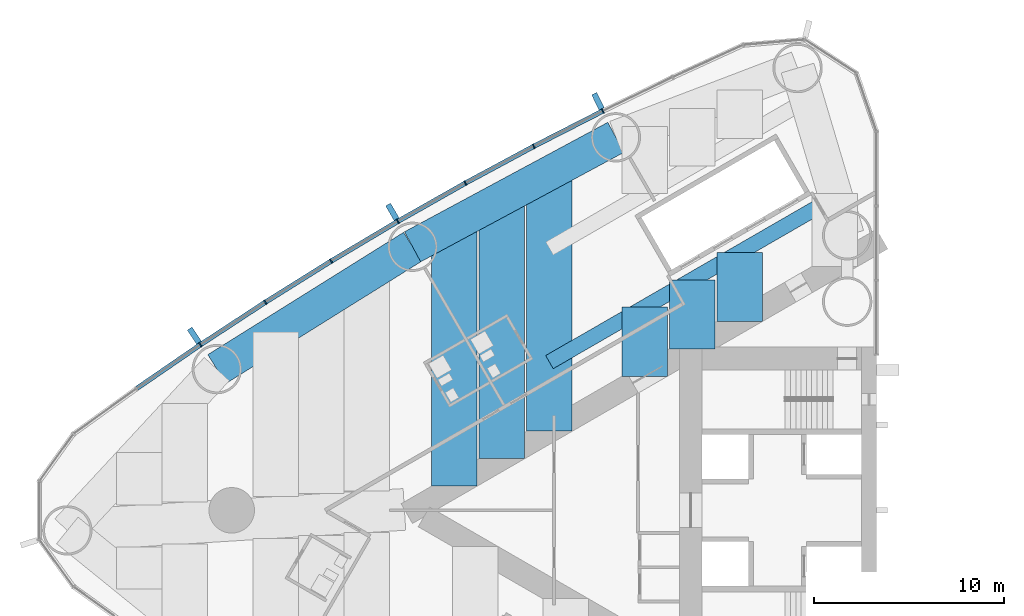
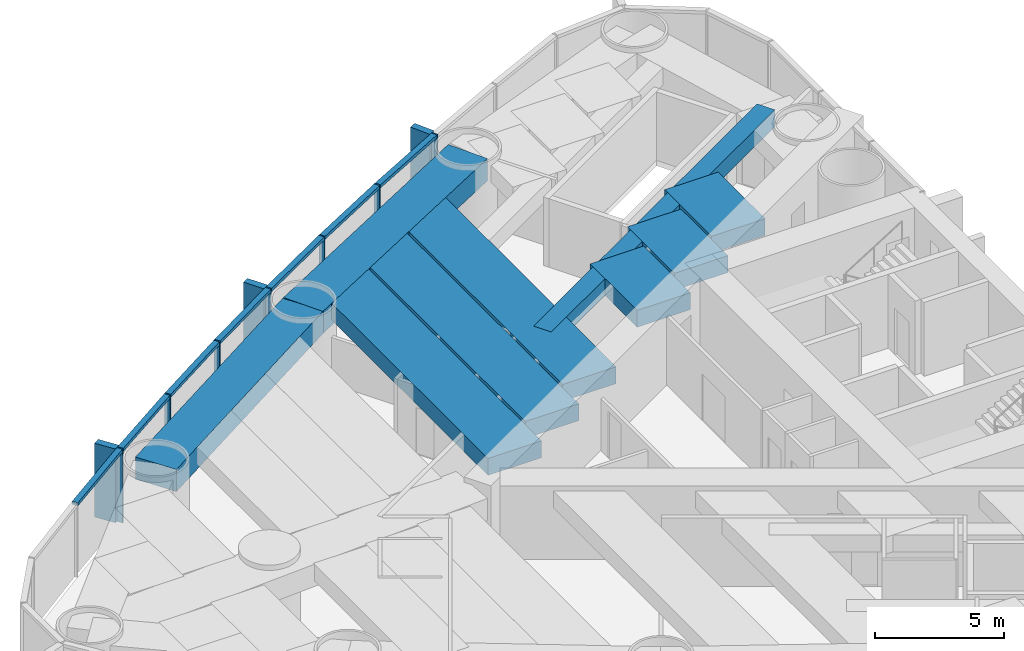
# One storey, part 4 of 18: 17 members, 9 beams, 1 element without a shape of its own.
"""IFC4 building model written with IfcOpenShell, lengths in metres."""

from ifc_helpers import new_model, si_unit, direction, frame, origin, origin_2d, place, context, subcontext, project, spatial, rectangle, hollow_rectangle, extrude, material, material_profile, profile_set, type_object, element, aggregate, save


model = new_model("IFC4")

# Units and contexts
model_context = context("Model", 3, precision=1e-05, world=origin(), true_north=direction((0.0, 1.0)))
body_context = subcontext(model_context, "Body", "Model", "MODEL_VIEW")
ifc_project = project(units=[si_unit("LENGTHUNIT", "METRE"), si_unit("AREAUNIT", "SQUARE_METRE"), si_unit("VOLUMEUNIT", "CUBIC_METRE"), si_unit("PLANEANGLEUNIT", "RADIAN"), si_unit("MASSUNIT", "GRAM", prefix="KILO")], contexts=[model_context])

# Site, building, storey
site_placement = place(None, origin())
site = spatial("IfcSite", under=ifc_project, at=site_placement, CompositionType="ELEMENT")
building_placement = place(site_placement, origin())
building = spatial("IfcBuilding", under=site, at=building_placement, Name="Lancet Gate Hotel", CompositionType="ELEMENT")
storey_placement = place(building_placement, frame((0.0, 0.0, 115.10009765625)))
storey = spatial("IfcBuildingStorey", under=building, at=storey_placement, Name="L30", CompositionType="ELEMENT", Elevation=115.10009765625)

# Curtain wall, members
ifc_material_1 = material(Name="Aluminium curtain wall", Category="aluminium")
curtain_wall_type = type_object("IfcCurtainWallType", Name="Tower unitised curtain wall", PredefinedType="USERDEFINED", material=ifc_material_1)
curtain_wall_placement = place(storey_placement, origin())
curtain_wall = element("IfcCurtainWall", 1, at=curtain_wall_placement, inside=storey, type_object=curtain_wall_type, Name="T1 L30 curtain wall 1", ObjectType="UNITISED CURTAIN WALL", PredefinedType="USERDEFINED")
ifc_material_2 = material(Name="Aluminium mullion", Category="aluminium")
ifc_material_profile_1 = material_profile(ifc_material_2, rectangle(XDim=0.06494140625, YDim=0.25, at=origin_2d()), Name="MULLION 65x250")
ifc_profile_set_1 = profile_set([ifc_material_profile_1], Name="Aluminium mullion")
member_type_1 = type_object("IfcMemberType", Name="Aluminium mullion 65x250", PredefinedType="MULLION", material=ifc_profile_set_1)
member_1_placement = place(storey_placement, frame((-41.935302734375, 21.053466796875, 0.0), z_axis=(0.0, 0.0, 1.0), x_axis=(-0.895339445458, -0.445384415317, 0.0)))
member_1 = element("IfcMember", 2, at=member_1_placement, type_object=member_type_1, Name="T1 L30 curtain wall 1 mullion 9", PredefinedType="MULLION", context=body_context, shape_type="SweptSolid", body=[
    extrude(rectangle(XDim=0.06494140625, YDim=0.25, at=origin_2d()), origin(), (0.0, 0.0, 1.0), 3.5),
])
member_2_placement = place(storey_placement, frame((-45.578857421875, 19.19189453125, 0.0), z_axis=(0.0, 0.0, 1.0), x_axis=(-0.885544335517, -0.46455487279, 0.0)))
member_2 = element("IfcMember", 3, at=member_2_placement, type_object=member_type_1, Name="T1 L30 curtain wall 1 mullion 10", PredefinedType="MULLION", context=body_context, shape_type="SweptSolid", body=[
    extrude(rectangle(XDim=0.06494140625, YDim=0.25, at=origin_2d()), origin(), (0.0, 0.0, 1.0), 3.5),
])
member_3_placement = place(storey_placement, frame((-49.181640625, 17.252197265625, 0.0), z_axis=(0.0, 0.0, 1.0), x_axis=(-0.875338819507, -0.48351003202, 0.0)))
member_3 = element("IfcMember", 4, at=member_3_placement, type_object=member_type_1, Name="T1 L30 curtain wall 1 mullion 11", PredefinedType="MULLION", context=body_context, shape_type="SweptSolid", body=[
    extrude(rectangle(XDim=0.06494140625, YDim=0.25, at=origin_2d()), origin(), (0.0, 0.0, 1.0), 3.5),
])
member_4_placement = place(storey_placement, frame((-52.74169921875, 15.2353515625, 0.0), z_axis=(0.0, 0.0, 1.0), x_axis=(-0.86472762718, -0.502241108226, 0.0)))
member_4 = element("IfcMember", 5, at=member_4_placement, type_object=member_type_1, Name="T1 L30 curtain wall 1 mullion 12", PredefinedType="MULLION", context=body_context, shape_type="SweptSolid", body=[
    extrude(rectangle(XDim=0.06494140625, YDim=0.25, at=origin_2d()), origin(), (0.0, 0.0, 1.0), 3.5),
])
member_5_placement = place(storey_placement, frame((-56.257568359375, 13.142333984375, 0.0), z_axis=(0.0, 0.0, 1.0), x_axis=(-0.853715676299, -0.52073942048, 0.0)))
member_5 = element("IfcMember", 6, at=member_5_placement, type_object=member_type_1, Name="T1 L30 curtain wall 1 mullion 13", PredefinedType="MULLION", context=body_context, shape_type="SweptSolid", body=[
    extrude(rectangle(XDim=0.06494140625, YDim=0.25, at=origin_2d()), origin(), (0.0, 0.0, 1.0), 3.5),
])
member_6_placement = place(storey_placement, frame((-59.7275390625, 10.974365234375, 0.0), z_axis=(0.0, 0.0, 1.0), x_axis=(-0.84230807036, -0.538996395727, 0.0)))
member_6 = element("IfcMember", 7, at=member_6_placement, type_object=member_type_1, Name="T1 L30 curtain wall 1 mullion 14", PredefinedType="MULLION", context=body_context, shape_type="SweptSolid", body=[
    extrude(rectangle(XDim=0.06494140625, YDim=0.25, at=origin_2d()), origin(), (0.0, 0.0, 1.0), 3.5),
])
member_7_placement = place(storey_placement, frame((-63.14990234375, 8.73193359375, 0.0), z_axis=(0.0, 0.0, 1.0), x_axis=(-0.830510096234, -0.557003572747, 0.0)))
member_7 = element("IfcMember", 8, at=member_7_placement, type_object=member_type_1, Name="T1 L30 curtain wall 1 mullion 15", PredefinedType="MULLION", context=body_context, shape_type="SweptSolid", body=[
    extrude(rectangle(XDim=0.06494140625, YDim=0.25, at=origin_2d()), origin(), (0.0, 0.0, 1.0), 3.5),
])
ifc_material_3 = material(Name="Aluminium transom", Category="aluminium")
ifc_material_profile_2 = material_profile(ifc_material_3, rectangle(XDim=0.25, YDim=0.14990234375, at=origin_2d()), Name="TRANSOM 250x150")
ifc_profile_set_2 = profile_set([ifc_material_profile_2], Name="Aluminium transom")
member_type_2 = type_object("IfcMemberType", Name="Aluminium transom 250x150", PredefinedType="USERDEFINED", material=ifc_profile_set_2)
member_8_placement = place(storey_placement, frame((-41.96435546875, 21.038818359375, 3.4248046875), z_axis=(-0.89047617483, -0.455029869415, 0.0), x_axis=(0.455029869415, -0.89047617483, 0.0)))
member_8 = element("IfcMember", 9, at=member_8_placement, type_object=member_type_2, Name="T1 L30 curtain wall 1 transom 9", ObjectType="TRANSOM", PredefinedType="USERDEFINED", context=body_context, shape_type="SweptSolid", body=[
    extrude(rectangle(XDim=0.25, YDim=0.14990234375, at=origin_2d()), origin(), (0.0, 0.0, 1.0), 4.026611328125),
])
member_9_placement = place(storey_placement, frame((-45.607421875, 19.176513671875, 3.4248046875), z_axis=(-0.880498353192, -0.474049206335, 0.0), x_axis=(0.474049206335, -0.880498353192, 0.0)))
member_9 = element("IfcMember", 10, at=member_9_placement, type_object=member_type_2, Name="T1 L30 curtain wall 1 transom 10", ObjectType="TRANSOM", PredefinedType="USERDEFINED", context=body_context, shape_type="SweptSolid", body=[
    extrude(rectangle(XDim=0.25, YDim=0.14990234375, at=origin_2d()), origin(), (0.0, 0.0, 1.0), 4.02685546875),
])
member_10_placement = place(storey_placement, frame((-49.2099609375, 17.236083984375, 3.4248046875), z_axis=(-0.870091531013, -0.492890178091, 0.0), x_axis=(0.492890178091, -0.870091531013, 0.0)))
member_10 = element("IfcMember", 11, at=member_10_placement, type_object=member_type_2, Name="T1 L30 curtain wall 1 transom 11", ObjectType="TRANSOM", PredefinedType="USERDEFINED", context=body_context, shape_type="SweptSolid", body=[
    extrude(rectangle(XDim=0.25, YDim=0.14990234375, at=origin_2d()), origin(), (0.0, 0.0, 1.0), 4.026611328125),
])
member_11_placement = place(storey_placement, frame((-52.76953125, 15.21875, 3.4248046875), z_axis=(-0.859285270342, -0.511496651186, 0.0), x_axis=(0.511496651186, -0.859285270342, 0.0)))
member_11 = element("IfcMember", 12, at=member_11_placement, type_object=member_type_2, Name="T1 L30 curtain wall 1 transom 12", ObjectType="TRANSOM", PredefinedType="USERDEFINED", context=body_context, shape_type="SweptSolid", body=[
    extrude(rectangle(XDim=0.25, YDim=0.14990234375, at=origin_2d()), origin(), (0.0, 0.0, 1.0), 4.026611328125),
])
member_12_placement = place(storey_placement, frame((-56.28515625, 13.125244140625, 3.4248046875), z_axis=(-0.848049393821, -0.529917187531, 0.0), x_axis=(0.529917187531, -0.848049393821, 0.0)))
member_12 = element("IfcMember", 13, at=member_12_placement, type_object=member_type_2, Name="T1 L30 curtain wall 1 transom 13", ObjectType="TRANSOM", PredefinedType="USERDEFINED", context=body_context, shape_type="SweptSolid", body=[
    extrude(rectangle(XDim=0.25, YDim=0.14990234375, at=origin_2d()), origin(), (0.0, 0.0, 1.0), 4.026611328125),
])
member_13_placement = place(storey_placement, frame((-59.754638671875, 10.95654296875, 3.4248046875), z_axis=(-0.83645442085, -0.548036496815, 0.0), x_axis=(0.548036496815, -0.83645442085, 0.0)))
member_13 = element("IfcMember", 14, at=member_13_placement, type_object=member_type_2, Name="T1 L30 curtain wall 1 transom 14", ObjectType="TRANSOM", PredefinedType="USERDEFINED", context=body_context, shape_type="SweptSolid", body=[
    extrude(rectangle(XDim=0.25, YDim=0.14990234375, at=origin_2d()), origin(), (0.0, 0.0, 1.0), 4.026611328125),
])
member_14_placement = place(storey_placement, frame((-63.1767578125, 8.713623046875, 3.4248046875), z_axis=(-0.824455665247, -0.565926546508, 0.0), x_axis=(0.565926546508, -0.824455665247, 0.0)))
member_14 = element("IfcMember", 15, at=member_14_placement, type_object=member_type_2, Name="T1 L30 curtain wall 1 transom 15", ObjectType="TRANSOM", PredefinedType="USERDEFINED", context=body_context, shape_type="SweptSolid", body=[
    extrude(rectangle(XDim=0.25, YDim=0.14990234375, at=origin_2d()), origin(), (0.0, 0.0, 1.0), 4.026611328125),
])

# Beams
ifc_material_4 = material(Name="Concrete C50/60", Category="concrete")
ifc_material_profile_3 = material_profile(ifc_material_4, rectangle(XDim=1.800048828125, YDim=1.050048828125, at=origin_2d()), Name="RC 1800x1050")
ifc_profile_set_3 = profile_set([ifc_material_profile_3], Name="Concrete C50/60")
beam_type_1 = type_object("IfcBeamType", Name="Edge beam RC 1800x1050", PredefinedType="SPANDREL", material=ifc_profile_set_3)
for number, where, z_axis, x_axis, name in (
    (16, (-41.244873046875, 19.665771484375, 2.724853515625), (-0.880492350889, -0.474060354835, 0.0), (0.474060354835, -0.880492350889, 0.0), "T1 edge beam EB1 L30"),
    (17, (-51.963134765625, 13.89501953125, 2.724853515625), (-0.848062521637, -0.529896177939, 0.0), (0.529896177939, -0.848062521637, 0.0), "T1 edge beam EB1 L30"),
):
    element("IfcBeam", number, at=place(storey_placement, frame(where, z_axis=z_axis, x_axis=x_axis)), inside=storey, type_object=beam_type_1, Name=name, PredefinedType="SPANDREL", context=body_context, shape_type="SweptSolid", body=[
        extrude(rectangle(XDim=1.800048828125, YDim=1.050048828125, at=origin_2d()), origin(), (0.0, 0.0, 1.0), 12.173095703125),
    ])

# Member
ifc_material_5 = material(Name="Precast concrete C50/60", Category="concrete")
ifc_material_profile_4 = material_profile(ifc_material_5, rectangle(XDim=0.300048828125, YDim=0.89990234375, at=origin_2d()), Name="FIN 300x900")
ifc_profile_set_4 = profile_set([ifc_material_profile_4], Name="Precast concrete C50/60")
member_type_3 = type_object("IfcMemberType", Name="Exposed concrete fin 300x900", PredefinedType="USERDEFINED", material=ifc_profile_set_4)
member_15_placement = place(storey_placement, frame((-42.19140625, 21.568359375, 0.0), z_axis=(0.0, 0.0, 1.0), x_axis=(-0.895339445458, -0.445384415317, 0.0)))
member_15 = element("IfcMember", 18, at=member_15_placement, type_object=member_type_3, Name="T1 L30 curtain wall 1 fin 9", ObjectType="FIN", PredefinedType="USERDEFINED", context=body_context, shape_type="SweptSolid", body=[
    extrude(rectangle(XDim=0.300048828125, YDim=0.89990234375, at=origin_2d()), origin(), (0.0, 0.0, 1.0), 3.5),
])

member_16_placement = place(storey_placement, frame((-53.030517578125, 15.732666015625, 0.0), z_axis=(0.0, 0.0, 1.0), x_axis=(-0.86472762718, -0.502241108226, 0.0)))
member_16 = element("IfcMember", 19, at=member_16_placement, type_object=member_type_3, Name="T1 L30 curtain wall 1 fin 12", ObjectType="FIN", PredefinedType="USERDEFINED", context=body_context, shape_type="SweptSolid", body=[
    extrude(rectangle(XDim=0.300048828125, YDim=0.89990234375, at=origin_2d()), origin(), (0.0, 0.0, 1.0), 3.5),
])

member_17_placement = place(storey_placement, frame((-63.47021484375, 9.20947265625, 0.0), z_axis=(0.0, 0.0, 1.0), x_axis=(-0.830510096234, -0.557003572747, 0.0)))
member_17 = element("IfcMember", 20, at=member_17_placement, type_object=member_type_3, Name="T1 L30 curtain wall 1 fin 15", ObjectType="FIN", PredefinedType="USERDEFINED", context=body_context, shape_type="SweptSolid", body=[
    extrude(rectangle(XDim=0.300048828125, YDim=0.89990234375, at=origin_2d()), origin(), (0.0, 0.0, 1.0), 3.5),
])

aggregate(curtain_wall, [member_1, member_15, member_2, member_3, member_4, member_16, member_5, member_6, member_7, member_17, member_8, member_9, member_10, member_11, member_12, member_13, member_14])

# Beams
ifc_material_6 = material(Name="Concrete C50/60", Category="concrete")
ifc_material_profile_5 = material_profile(ifc_material_6, rectangle(XDim=2.39990234375, YDim=0.800048828125, at=origin_2d()), Name="RC 2400x800")
ifc_profile_set_5 = profile_set([ifc_material_profile_5], Name="Concrete C50/60")
beam_type_2 = type_object("IfcBeamType", Name="Floor beam RC 2400x800", PredefinedType="BEAM", material=ifc_profile_set_5)
beam_1_placement = place(storey_placement, frame((-44.747802734375, 17.77978515625, 2.849853515625), z_axis=(0.0, -1.0, 0.0), x_axis=(1.0, 0.0, 0.0)))
element("IfcBeam", 21, at=beam_1_placement, inside=storey, type_object=beam_type_2, Name="T1 floor beam F09S L30", PredefinedType="BEAM", context=body_context, shape_type="SweptSolid", body=[
    extrude(rectangle(XDim=2.39990234375, YDim=0.800048828125, at=origin_2d()), origin(), (0.0, 0.0, 1.0), 13.611083984375),
])
beam_2_placement = place(storey_placement, frame((-47.254638671875, 16.43017578125, 2.849853515625), z_axis=(0.0, -1.0, 0.0), x_axis=(1.0, 0.0, 0.0)))
element("IfcBeam", 22, at=beam_2_placement, inside=storey, type_object=beam_type_2, Name="T1 floor beam F10S L30", PredefinedType="BEAM", context=body_context, shape_type="SweptSolid", body=[
    extrude(rectangle(XDim=2.39990234375, YDim=0.800048828125, at=origin_2d()), origin(), (0.0, 0.0, 1.0), 13.708740234375),
])
beam_3_placement = place(storey_placement, frame((-49.761474609375, 15.08056640625, 2.849853515625), z_axis=(0.0, -1.0, 0.0), x_axis=(1.0, 0.0, 0.0)))
element("IfcBeam", 23, at=beam_3_placement, inside=storey, type_object=beam_type_2, Name="T1 floor beam F12S L30", PredefinedType="BEAM", context=body_context, shape_type="SweptSolid", body=[
    extrude(rectangle(XDim=2.39990234375, YDim=0.800048828125, at=origin_2d()), origin(), (0.0, 0.0, 1.0), 13.806396484375),
])
beam_4_placement = place(storey_placement, frame((-34.720458984375, 13.603759765625, 2.849853515625), z_axis=(0.0, -1.0, 0.0), x_axis=(1.0, 0.0, 0.0)))
element("IfcBeam", 24, at=beam_4_placement, inside=storey, type_object=beam_type_2, Name="T1 floor beam F04SB L30", PredefinedType="BEAM", context=body_context, shape_type="SweptSolid", body=[
    extrude(rectangle(XDim=2.39990234375, YDim=0.800048828125, at=origin_2d()), origin(), (0.0, 0.0, 1.0), 3.645751953125),
])
beam_5_placement = place(storey_placement, frame((-37.227294921875, 12.15625, 2.849853515625), z_axis=(0.0, -1.0, 0.0), x_axis=(1.0, 0.0, 0.0)))
element("IfcBeam", 25, at=beam_5_placement, inside=storey, type_object=beam_type_2, Name="T1 floor beam F05SB L30", PredefinedType="BEAM", context=body_context, shape_type="SweptSolid", body=[
    extrude(rectangle(XDim=2.39990234375, YDim=0.800048828125, at=origin_2d()), origin(), (0.0, 0.0, 1.0), 3.6455078125),
])
beam_6_placement = place(storey_placement, frame((-39.734130859375, 10.708740234375, 2.849853515625), z_axis=(0.0, -1.0, 0.0), x_axis=(1.0, 0.0, 0.0)))
element("IfcBeam", 26, at=beam_6_placement, inside=storey, type_object=beam_type_2, Name="T1 floor beam F07SB L30", PredefinedType="BEAM", context=body_context, shape_type="SweptSolid", body=[
    extrude(rectangle(XDim=2.39990234375, YDim=0.800048828125, at=origin_2d()), origin(), (0.0, 0.0, 1.0), 3.645263671875),
])
ifc_material_7 = material(Name="Steel S460QL", Category="steel")
ifc_material_profile_6 = material_profile(ifc_material_7, hollow_rectangle(XDim=0.800048828125, YDim=0.800048828125, WallThickness=0.080078125, at=origin_2d()), Name="BOX 800x800x80")
ifc_profile_set_6 = profile_set([ifc_material_profile_6], Name="Steel S460QL")
beam_type_3 = type_object("IfcBeamType", Name="Trimmer beam BOX 800x800x80", PredefinedType="BEAM", material=ifc_profile_set_6)
beam_7_placement = place(storey_placement, frame((-29.706787109375, 16.49853515625, 2.849853515625), z_axis=(-0.866003462672, -0.500038001195, 0.0), x_axis=(0.500038001195, -0.866003462672, 0.0)))
element("IfcBeam", 27, at=beam_7_placement, inside=storey, type_object=beam_type_3, Name="T1 trimmer beam TR02S L30", PredefinedType="BEAM", context=body_context, shape_type="SweptSolid", body=[
    extrude(hollow_rectangle(XDim=0.800048828125, YDim=0.800048828125, WallThickness=0.080078125, at=origin_2d()), origin(), (0.0, 0.0, 1.0), 17.368408203125),
])

save(model, "model.ifc")
